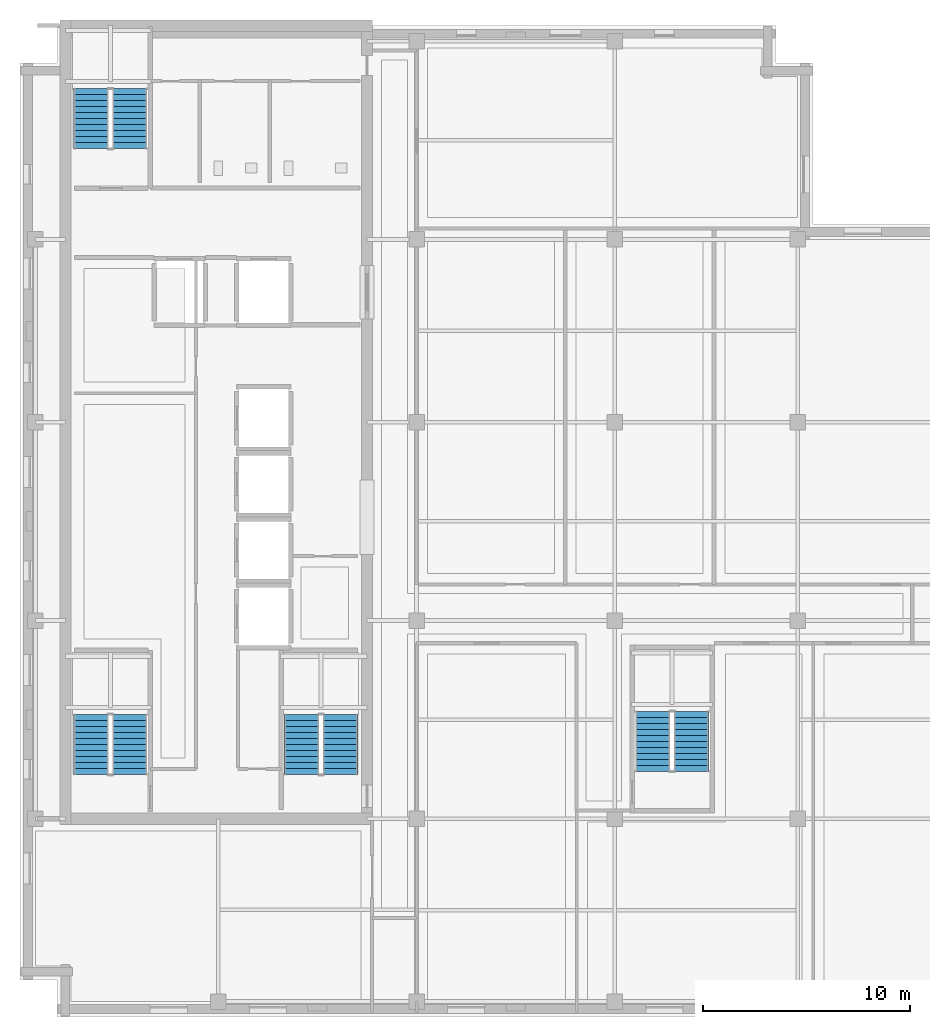
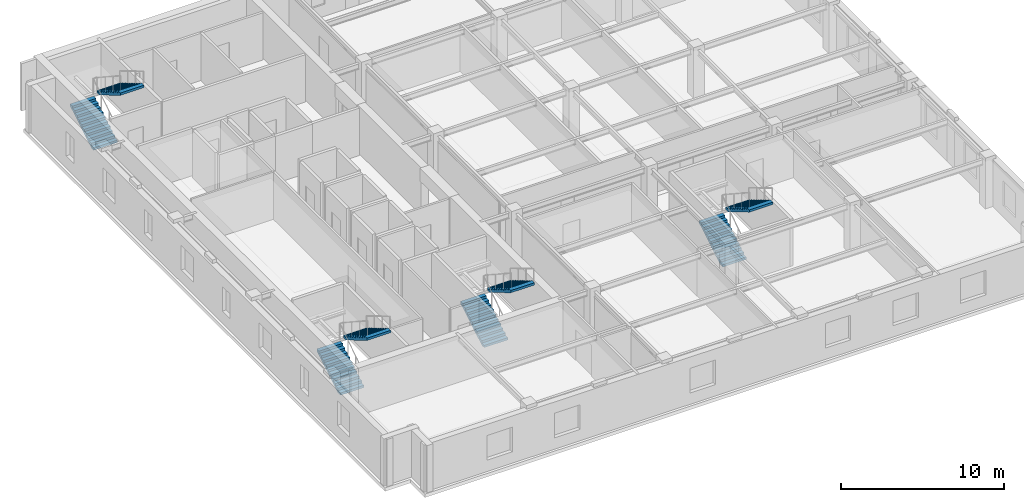
# One storey, part 6 of 10: 8 stair flights, 4 elements without a shape of their own.
"""IFC4 building model written with IfcOpenShell, lengths in metres."""

from ifc_helpers import new_model, si_unit, direction, frame, origin, place, context, subcontext, project, spatial, polyline, outline, extrude, material, type_object, element, aggregate, save


model = new_model("IFC4")

# Units and contexts
model_context = context("Model", 3, precision=1e-05, world=origin(), true_north=direction((0.0, 1.0)))
body_context = subcontext(model_context, "Body", "Model", "MODEL_VIEW")
ifc_project = project(units=[si_unit("LENGTHUNIT", "METRE"), si_unit("AREAUNIT", "SQUARE_METRE"), si_unit("VOLUMEUNIT", "CUBIC_METRE"), si_unit("PLANEANGLEUNIT", "RADIAN"), si_unit("MASSUNIT", "GRAM", prefix="KILO")], contexts=[model_context])

# Site, building, storey
site_placement = place(None, origin())
site = spatial("IfcSite", under=ifc_project, at=site_placement, CompositionType="ELEMENT")
building_placement = place(site_placement, origin())
building = spatial("IfcBuilding", under=site, at=building_placement, Name="Norrvale University Quadrangle", CompositionType="ELEMENT")
storey_placement = place(building_placement, frame((0.0, 0.0, 269.60009765625)))
storey = spatial("IfcBuildingStorey", under=building, at=storey_placement, Name="L68", CompositionType="ELEMENT", Elevation=269.60009765625)

# Stair, stair flights
ifc_material = material(Name="Concrete C40/50", Category="concrete")
stair_type = type_object("IfcStairType", Name="Stair Tower Typ 3800", PredefinedType="TWO_STRAIGHT_RUN_STAIR", material=ifc_material)
stair_1_placement = place(storey_placement, origin())
stair_1 = element("IfcStair", 1, at=stair_1_placement, inside=storey, type_object=stair_type, Name="Exit Stair ST-01 L68", PredefinedType="TWO_STRAIGHT_RUN_STAIR")
stair_flight_type = type_object("IfcStairFlightType", Name="Flight Typ 1500", PredefinedType="STRAIGHT", material=ifc_material)
stair_flight_1_placement = place(storey_placement, frame((3.429931640625, 11.75, 0.0), z_axis=(0.0, 0.0, 1.0), x_axis=(0.0, 1.0, 0.0)))
stair_flight_1 = element("IfcStairFlight", 2, at=stair_flight_1_placement, type_object=stair_flight_type, Name="Exit Stair ST-01 L68 Lower Flight", NumberOfRisers=11, NumberOfTreads=10, PredefinedType="STRAIGHT", RiserHeight=0.172727, TreadLength=0.29, context=body_context, shape_type="SweptSolid", body=[
    extrude(outline(polyline([(0.0, 0.0), (0.0, 0.172607421875), (0.2900390625, 0.172607421875), (0.2900390625, 0.345458984375), (0.580078125, 0.345458984375), (0.580078125, 0.51806640625), (0.8701171875, 0.51806640625), (0.8701171875, 0.69091796875), (1.159912109375, 0.69091796875), (1.159912109375, 0.863525390625), (1.449951171875, 0.863525390625), (1.449951171875, 1.036376953125), (1.739990234375, 1.036376953125), (1.739990234375, 1.208984375), (2.030029296875, 1.208984375), (2.030029296875, 1.3818359375), (2.320068359375, 1.3818359375), (2.320068359375, 1.554443359375), (2.610107421875, 1.554443359375), (2.610107421875, 1.727294921875), (2.89990234375, 1.727294921875), (2.89990234375, 1.89990234375), (2.89990234375, 1.552734375), (0.29296875, 0.0), (0.0, 0.0)])), frame((0.0, 0.83984375, 0.0), z_axis=(0.0, -1.0, 0.0), x_axis=(1.0, 0.0, 0.0)), (0.0, 0.0, 1.0), 1.679931640625),
])
stair_flight_2_placement = place(storey_placement, frame((5.320068359375, 14.64990234375, 1.89990234375), z_axis=(0.0, 0.0, 1.0), x_axis=(0.0, -1.0, 0.0)))
stair_flight_2 = element("IfcStairFlight", 3, at=stair_flight_2_placement, type_object=stair_flight_type, Name="Exit Stair ST-01 L68 Upper Flight", NumberOfRisers=11, NumberOfTreads=10, PredefinedType="STRAIGHT", RiserHeight=0.172727, TreadLength=0.29, context=body_context, shape_type="SweptSolid", body=[
    extrude(outline(polyline([(0.0, 0.0), (0.0, 0.172607421875), (0.2900390625, 0.172607421875), (0.2900390625, 0.345458984375), (0.580078125, 0.345458984375), (0.580078125, 0.51806640625), (0.8701171875, 0.51806640625), (0.8701171875, 0.69091796875), (1.159912109375, 0.69091796875), (1.159912109375, 0.863525390625), (1.449951171875, 0.863525390625), (1.449951171875, 1.036376953125), (1.739990234375, 1.036376953125), (1.739990234375, 1.208984375), (2.030029296875, 1.208984375), (2.030029296875, 1.3818359375), (2.320068359375, 1.3818359375), (2.320068359375, 1.554443359375), (2.610107421875, 1.554443359375), (2.610107421875, 1.727294921875), (2.89990234375, 1.727294921875), (2.89990234375, 1.89990234375), (2.89990234375, 1.552734375), (0.29296875, 0.0), (0.0, 0.0)])), frame((0.0, 0.83984375, 0.0), z_axis=(0.0, -1.0, 0.0), x_axis=(1.0, 0.0, 0.0)), (0.0, 0.0, 1.0), 1.679931640625),
])
aggregate(stair_1, [stair_flight_1, stair_flight_2])

stair_2_placement = place(storey_placement, origin())
stair_2 = element("IfcStair", 4, at=stair_2_placement, inside=storey, type_object=stair_type, Name="Exit Stair ST-02 L68", PredefinedType="TWO_STRAIGHT_RUN_STAIR")
stair_flight_3_placement = place(storey_placement, frame((3.429931640625, 42.050048828125, 0.0), z_axis=(0.0, 0.0, 1.0), x_axis=(0.0, 1.0, 0.0)))
stair_flight_3 = element("IfcStairFlight", 5, at=stair_flight_3_placement, type_object=stair_flight_type, Name="Exit Stair ST-02 L68 Lower Flight", NumberOfRisers=11, NumberOfTreads=10, PredefinedType="STRAIGHT", RiserHeight=0.172727, TreadLength=0.29, context=body_context, shape_type="SweptSolid", body=[
    extrude(outline(polyline([(0.0, 0.0), (0.0, 0.172607421875), (0.2900390625, 0.172607421875), (0.2900390625, 0.345458984375), (0.580078125, 0.345458984375), (0.580078125, 0.51806640625), (0.8701171875, 0.51806640625), (0.8701171875, 0.69091796875), (1.159912109375, 0.69091796875), (1.159912109375, 0.863525390625), (1.449951171875, 0.863525390625), (1.449951171875, 1.036376953125), (1.739990234375, 1.036376953125), (1.739990234375, 1.208984375), (2.030029296875, 1.208984375), (2.030029296875, 1.3818359375), (2.320068359375, 1.3818359375), (2.320068359375, 1.554443359375), (2.610107421875, 1.554443359375), (2.610107421875, 1.727294921875), (2.89990234375, 1.727294921875), (2.89990234375, 1.89990234375), (2.89990234375, 1.552734375), (0.29296875, 0.0), (0.0, 0.0)])), frame((0.0, 0.83984375, 0.0), z_axis=(0.0, -1.0, 0.0), x_axis=(1.0, 0.0, 0.0)), (0.0, 0.0, 1.0), 1.679931640625),
])
stair_flight_4_placement = place(storey_placement, frame((5.320068359375, 44.949951171875, 1.89990234375), z_axis=(0.0, 0.0, 1.0), x_axis=(0.0, -1.0, 0.0)))
stair_flight_4 = element("IfcStairFlight", 6, at=stair_flight_4_placement, type_object=stair_flight_type, Name="Exit Stair ST-02 L68 Upper Flight", NumberOfRisers=11, NumberOfTreads=10, PredefinedType="STRAIGHT", RiserHeight=0.172727, TreadLength=0.29, context=body_context, shape_type="SweptSolid", body=[
    extrude(outline(polyline([(0.0, 0.0), (0.0, 0.172607421875), (0.2900390625, 0.172607421875), (0.2900390625, 0.345458984375), (0.580078125, 0.345458984375), (0.580078125, 0.51806640625), (0.8701171875, 0.51806640625), (0.8701171875, 0.69091796875), (1.159912109375, 0.69091796875), (1.159912109375, 0.863525390625), (1.449951171875, 0.863525390625), (1.449951171875, 1.036376953125), (1.739990234375, 1.036376953125), (1.739990234375, 1.208984375), (2.030029296875, 1.208984375), (2.030029296875, 1.3818359375), (2.320068359375, 1.3818359375), (2.320068359375, 1.554443359375), (2.610107421875, 1.554443359375), (2.610107421875, 1.727294921875), (2.89990234375, 1.727294921875), (2.89990234375, 1.89990234375), (2.89990234375, 1.552734375), (0.29296875, 0.0), (0.0, 0.0)])), frame((0.0, 0.83984375, 0.0), z_axis=(0.0, -1.0, 0.0), x_axis=(1.0, 0.0, 0.0)), (0.0, 0.0, 1.0), 1.679931640625),
])
aggregate(stair_2, [stair_flight_3, stair_flight_4])

stair_3_placement = place(storey_placement, origin())
stair_3 = element("IfcStair", 7, at=stair_3_placement, inside=storey, type_object=stair_type, Name="Exit Stair ST-03 L68", PredefinedType="TWO_STRAIGHT_RUN_STAIR")
stair_flight_5_placement = place(storey_placement, frame((13.6298828125, 11.75, 0.0), z_axis=(0.0, 0.0, 1.0), x_axis=(0.0, 1.0, 0.0)))
stair_flight_5 = element("IfcStairFlight", 8, at=stair_flight_5_placement, type_object=stair_flight_type, Name="Exit Stair ST-03 L68 Lower Flight", NumberOfRisers=11, NumberOfTreads=10, PredefinedType="STRAIGHT", RiserHeight=0.172727, TreadLength=0.29, context=body_context, shape_type="SweptSolid", body=[
    extrude(outline(polyline([(0.0, 0.0), (0.0, 0.172607421875), (0.2900390625, 0.172607421875), (0.2900390625, 0.345458984375), (0.580078125, 0.345458984375), (0.580078125, 0.51806640625), (0.8701171875, 0.51806640625), (0.8701171875, 0.69091796875), (1.159912109375, 0.69091796875), (1.159912109375, 0.863525390625), (1.449951171875, 0.863525390625), (1.449951171875, 1.036376953125), (1.739990234375, 1.036376953125), (1.739990234375, 1.208984375), (2.030029296875, 1.208984375), (2.030029296875, 1.3818359375), (2.320068359375, 1.3818359375), (2.320068359375, 1.554443359375), (2.610107421875, 1.554443359375), (2.610107421875, 1.727294921875), (2.89990234375, 1.727294921875), (2.89990234375, 1.89990234375), (2.89990234375, 1.552734375), (0.29296875, 0.0), (0.0, 0.0)])), frame((0.0, 0.83984375, 0.0), z_axis=(0.0, -1.0, 0.0), x_axis=(1.0, 0.0, 0.0)), (0.0, 0.0, 1.0), 1.679931640625),
])
stair_flight_6_placement = place(storey_placement, frame((15.52001953125, 14.64990234375, 1.89990234375), z_axis=(0.0, 0.0, 1.0), x_axis=(0.0, -1.0, 0.0)))
stair_flight_6 = element("IfcStairFlight", 9, at=stair_flight_6_placement, type_object=stair_flight_type, Name="Exit Stair ST-03 L68 Upper Flight", NumberOfRisers=11, NumberOfTreads=10, PredefinedType="STRAIGHT", RiserHeight=0.172727, TreadLength=0.29, context=body_context, shape_type="SweptSolid", body=[
    extrude(outline(polyline([(0.0, 0.0), (0.0, 0.172607421875), (0.2900390625, 0.172607421875), (0.2900390625, 0.345458984375), (0.580078125, 0.345458984375), (0.580078125, 0.51806640625), (0.8701171875, 0.51806640625), (0.8701171875, 0.69091796875), (1.159912109375, 0.69091796875), (1.159912109375, 0.863525390625), (1.449951171875, 0.863525390625), (1.449951171875, 1.036376953125), (1.739990234375, 1.036376953125), (1.739990234375, 1.208984375), (2.030029296875, 1.208984375), (2.030029296875, 1.3818359375), (2.320068359375, 1.3818359375), (2.320068359375, 1.554443359375), (2.610107421875, 1.554443359375), (2.610107421875, 1.727294921875), (2.89990234375, 1.727294921875), (2.89990234375, 1.89990234375), (2.89990234375, 1.552734375), (0.29296875, 0.0), (0.0, 0.0)])), frame((0.0, 0.83984375, 0.0), z_axis=(0.0, -1.0, 0.0), x_axis=(1.0, 0.0, 0.0)), (0.0, 0.0, 1.0), 1.679931640625),
])
aggregate(stair_3, [stair_flight_5, stair_flight_6])

stair_4_placement = place(storey_placement, origin())
stair_4 = element("IfcStair", 10, at=stair_4_placement, inside=storey, type_object=stair_type, Name="Exit Stair ST-04 L68", PredefinedType="TWO_STRAIGHT_RUN_STAIR")
stair_flight_7_placement = place(storey_placement, frame((30.6298828125, 11.89990234375, 0.0), z_axis=(0.0, 0.0, 1.0), x_axis=(0.0, 1.0, 0.0)))
stair_flight_7 = element("IfcStairFlight", 11, at=stair_flight_7_placement, type_object=stair_flight_type, Name="Exit Stair ST-04 L68 Lower Flight", NumberOfRisers=11, NumberOfTreads=10, PredefinedType="STRAIGHT", RiserHeight=0.172727, TreadLength=0.29, context=body_context, shape_type="SweptSolid", body=[
    extrude(outline(polyline([(0.0, 0.0), (0.0, 0.172607421875), (0.2900390625, 0.172607421875), (0.2900390625, 0.345458984375), (0.580078125, 0.345458984375), (0.580078125, 0.51806640625), (0.8701171875, 0.51806640625), (0.8701171875, 0.69091796875), (1.159912109375, 0.69091796875), (1.159912109375, 0.863525390625), (1.449951171875, 0.863525390625), (1.449951171875, 1.036376953125), (1.739990234375, 1.036376953125), (1.739990234375, 1.208984375), (2.030029296875, 1.208984375), (2.030029296875, 1.3818359375), (2.320068359375, 1.3818359375), (2.320068359375, 1.554443359375), (2.610107421875, 1.554443359375), (2.610107421875, 1.727294921875), (2.89990234375, 1.727294921875), (2.89990234375, 1.89990234375), (2.89990234375, 1.552734375), (0.29296875, 0.0), (0.0, 0.0)])), frame((0.0, 0.83984375, 0.0), z_axis=(0.0, -1.0, 0.0), x_axis=(1.0, 0.0, 0.0)), (0.0, 0.0, 1.0), 1.679931640625),
])
stair_flight_8_placement = place(storey_placement, frame((32.52001953125, 14.800048828125, 1.89990234375), z_axis=(0.0, 0.0, 1.0), x_axis=(0.0, -1.0, 0.0)))
stair_flight_8 = element("IfcStairFlight", 12, at=stair_flight_8_placement, type_object=stair_flight_type, Name="Exit Stair ST-04 L68 Upper Flight", NumberOfRisers=11, NumberOfTreads=10, PredefinedType="STRAIGHT", RiserHeight=0.172727, TreadLength=0.29, context=body_context, shape_type="SweptSolid", body=[
    extrude(outline(polyline([(0.0, 0.0), (0.0, 0.172607421875), (0.2900390625, 0.172607421875), (0.2900390625, 0.345458984375), (0.580078125, 0.345458984375), (0.580078125, 0.51806640625), (0.8701171875, 0.51806640625), (0.8701171875, 0.69091796875), (1.159912109375, 0.69091796875), (1.159912109375, 0.863525390625), (1.449951171875, 0.863525390625), (1.449951171875, 1.036376953125), (1.739990234375, 1.036376953125), (1.739990234375, 1.208984375), (2.030029296875, 1.208984375), (2.030029296875, 1.3818359375), (2.320068359375, 1.3818359375), (2.320068359375, 1.554443359375), (2.610107421875, 1.554443359375), (2.610107421875, 1.727294921875), (2.89990234375, 1.727294921875), (2.89990234375, 1.89990234375), (2.89990234375, 1.552734375), (0.29296875, 0.0), (0.0, 0.0)])), frame((0.0, 0.83984375, 0.0), z_axis=(0.0, -1.0, 0.0), x_axis=(1.0, 0.0, 0.0)), (0.0, 0.0, 1.0), 1.679931640625),
])
aggregate(stair_4, [stair_flight_7, stair_flight_8])

save(model, "model.ifc")
